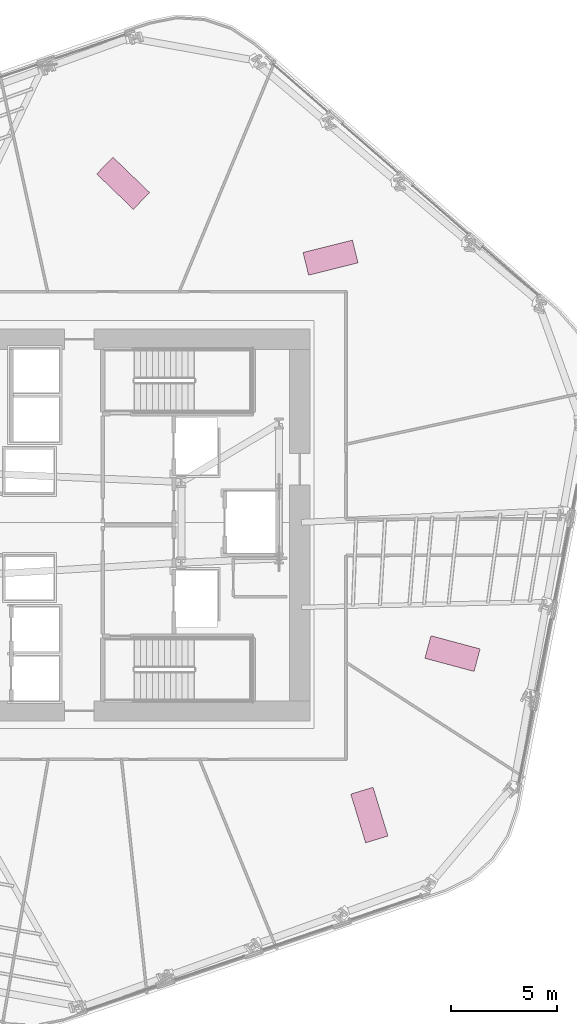
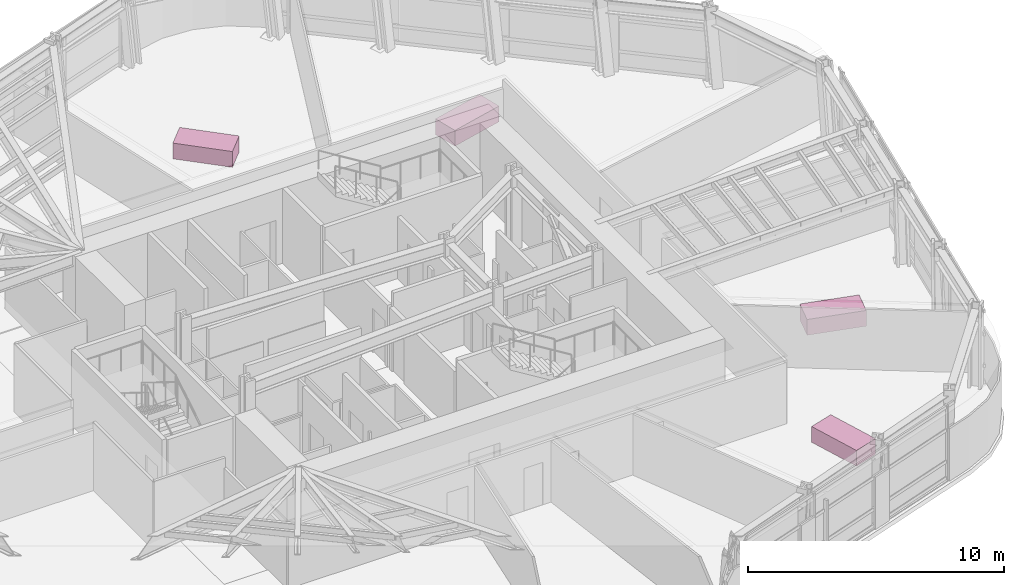
# One storey, part 16 of 16: 4 furniture elements.
"""IFC4 building model written with IfcOpenShell, lengths in metres."""

import ifcopenshell
import ifcopenshell.guid

model = None  # the IFC model being written
_history = None  # IfcOwnerHistory: only IFC2X3 demands one
_inside = {}  # id of a spatial element -> (the spatial element, [elements in it])
_under = {}  # id of a project, library or spatial element -> (it, [spatial elements below it])
_declared = {}  # id of a project -> (the project, [libraries it declares])
_typed = {}  # id of a type object -> (the type object, [elements of that type])
_made_of = {}  # id of a material, layer set ... -> (it, [elements and type objects made of it])


def new_model(schema):
    """Start an empty IFC model of exactly this schema.

    Asked for "IFC4X3", IfcOpenShell would pick the latest addendum, in which some entities
    have other attributes; the version numbers below select the first issue.
    IFC2X3 requires an IfcOwnerHistory on every rooted entity: one is made here for all.
    """
    global model, _history
    if schema == "IFC4X3":
        model = ifcopenshell.file(schema_version=(4, 3, 0, 0))
    else:
        model = ifcopenshell.file(schema=schema)
    _inside.clear()
    _under.clear()
    _declared.clear()
    _typed.clear()
    _made_of.clear()
    _history = None
    if model.schema == "IFC2X3":
        org = make("IfcOrganization", Name="unknown")
        user = make(
            "IfcPersonAndOrganization",
            ThePerson=make("IfcPerson", FamilyName="unknown"),
            TheOrganization=org,
        )
        app = make(
            "IfcApplication",
            ApplicationDeveloper=org,
            Version="unknown",
            ApplicationFullName="unknown",
            ApplicationIdentifier="unknown",
        )
        _history = make(
            "IfcOwnerHistory",
            OwningUser=user,
            OwningApplication=app,
            ChangeAction="ADDED",
            CreationDate=0,
        )
    return model


def make(cls, **values):
    """One entity of the class cls with the attributes given. An attribute that is None is left unset."""
    return model.create_entity(
        cls, **{name: value for name, value in values.items() if value is not None}
    )


def rooted(cls, **values):
    """An entity with a GlobalId (a new one), such as an element, a storey or a relation."""
    return make(cls, GlobalId=ifcopenshell.guid.new(), OwnerHistory=_history, **values)


def si_unit(unit_type, name, prefix=None):
    """IfcSIUnit, for example si_unit("LENGTHUNIT", "METRE", prefix="MILLI")."""
    return make("IfcSIUnit", UnitType=unit_type, Prefix=prefix, Name=name)


def assignment(units):
    """IfcUnitAssignment: the units of a project."""
    return None if units is None else make("IfcUnitAssignment", Units=units)


def point(xyz):
    """IfcCartesianPoint."""
    return None if xyz is None else make("IfcCartesianPoint", Coordinates=xyz)


def direction(xyz):
    """IfcDirection."""
    return None if xyz is None else make("IfcDirection", DirectionRatios=xyz)


def frame(location, z_axis=None, x_axis=None):
    """IfcAxis2Placement3D, a coordinate frame: its origin and axes. An axis left out is left unset."""
    return make(
        "IfcAxis2Placement3D",
        Location=point(location),
        Axis=direction(z_axis),
        RefDirection=direction(x_axis),
    )


def frame_2d(location, x_axis=None):
    """IfcAxis2Placement2D, a coordinate frame in the plane: its origin and x axis."""
    return make(
        "IfcAxis2Placement2D", Location=point(location), RefDirection=direction(x_axis)
    )


def origin():
    """The frame at (0, 0, 0) with its axes left unset."""
    return frame((0.0, 0.0, 0.0))


def origin_2d():
    """The frame at (0, 0) in the plane with its x axis left unset."""
    return frame_2d((0.0, 0.0))


def place(relative_to, where):
    """IfcLocalPlacement: puts the frame where relative to a parent placement (None: the world)."""
    return make(
        "IfcLocalPlacement", PlacementRelTo=relative_to, RelativePlacement=where
    )


def context(
    kind, dimensions, precision=None, world=None, true_north=None, identifier=None
):
    """IfcGeometricRepresentationContext, for example the 3D "Model" context."""
    return make(
        "IfcGeometricRepresentationContext",
        ContextIdentifier=identifier,
        ContextType=kind,
        CoordinateSpaceDimension=dimensions,
        Precision=precision,
        WorldCoordinateSystem=world,
        TrueNorth=true_north,
    )


def subcontext(parent, identifier, kind, view, scale=None):
    """IfcGeometricRepresentationSubContext, for example "Body" below "Model"."""
    return make(
        "IfcGeometricRepresentationSubContext",
        ContextIdentifier=identifier,
        ContextType=kind,
        ParentContext=parent,
        TargetScale=scale,
        TargetView=view,
    )


def project(units=None, contexts=None):
    """IfcProject with its units and contexts."""
    return rooted(
        "IfcProject",
        Name="project",
        RepresentationContexts=contexts,
        UnitsInContext=assignment(units),
    )


def spatial(cls, under=None, at=None, **own):
    """A site, building, storey or space (cls), placed at a placement, below another one or the project."""
    s = rooted(cls, ObjectPlacement=at, **own)
    if under is not None:
        _under.setdefault(under.id(), (under, []))[1].append(s)
    return s


def profile(cls, at=None, kind="AREA", **sizes):
    """A parametric profile (cls). Its sizes go by their IFC names, for example OverallWidth=200.0."""
    return make(cls, ProfileType=kind, Position=at, **sizes)


def rectangle(**sizes):
    """IfcRectangleProfileDef."""
    return profile("IfcRectangleProfileDef", **sizes)


def extrude(swept, where, along, depth):
    """IfcExtrudedAreaSolid: the profile swept, set in the frame where, extruded along a direction by depth."""
    return make(
        "IfcExtrudedAreaSolid",
        SweptArea=swept,
        Position=where,
        ExtrudedDirection=direction(along),
        Depth=depth,
    )


def shape(context_of_items, identifier, shape_type, items):
    """IfcShapeRepresentation: the items that make up one representation, for example the "Body"."""
    return make(
        "IfcShapeRepresentation",
        ContextOfItems=context_of_items,
        RepresentationIdentifier=identifier,
        RepresentationType=shape_type,
        Items=items,
    )


def material(Name=None, Category=None):
    """IfcMaterial."""
    return make("IfcMaterial", Name=Name, Category=Category)


def made_of(thing, what):
    """Note that an element or type object is made of a material, layer set ...; save() writes the relation."""
    if what is not None:
        _made_of.setdefault(what.id(), (what, []))[1].append(thing)
    return thing


def type_object(cls, material=None, **own):
    """A type object (cls), such as IfcWallType, which elements share."""
    return made_of(rooted(cls, **own), material)


def element(
    cls,
    number,
    at=None,
    inside=None,
    cuts=None,
    type_object=None,
    material=None,
    context=None,
    identifier="Body",
    shape_type=None,
    held_by="IfcProductDefinitionShape",
    body=None,
    shapes=None,
    **own,
):
    """One element of the class cls, such as IfcWall. Its Tag is "e" and its number.

    at: its placement. inside: the storey or other place that contains it. cuts: it is an
    opening in that element (IfcRelVoidsElement). A single representation is given by context,
    identifier, shape_type and body (its items); several are given by shapes. held_by: the class
    of the entity that holds the representations. save() writes the other relations.
    """
    e = rooted(cls, Tag="e%d" % number, ObjectPlacement=at, **own)
    if body is not None:
        shapes = [shape(context, identifier, shape_type, body)]
    if shapes is not None:
        e.Representation = make(held_by, Representations=shapes)
    if inside is not None:
        _inside.setdefault(inside.id(), (inside, []))[1].append(e)
    if cuts is not None:
        rooted(
            "IfcRelVoidsElement", RelatingBuildingElement=cuts, RelatedOpeningElement=e
        )
    if type_object is not None:
        _typed.setdefault(type_object.id(), (type_object, []))[1].append(e)
    return made_of(e, material)


def aggregate(whole, parts):
    """IfcRelAggregates: a whole, such as a stair, and the parts it consists of."""
    return rooted("IfcRelAggregates", RelatingObject=whole, RelatedObjects=parts)


def save(model, path):
    """Write the relations noted so far, then the file.

    IfcRelAggregates (storeys below a building ...), IfcRelContainedInSpatialStructure (elements
    in a storey), IfcRelDefinesByType, IfcRelAssociatesMaterial and IfcRelDeclares: one each for
    every whole, place, type object, material and project.
    """
    for whole, parts in _under.values():
        aggregate(whole, parts)
    for where, things in _inside.values():
        rooted(
            "IfcRelContainedInSpatialStructure",
            RelatedElements=things,
            RelatingStructure=where,
        )
    for kind, things in _typed.values():
        rooted("IfcRelDefinesByType", RelatedObjects=things, RelatingType=kind)
    for what, things in _made_of.values():
        rooted("IfcRelAssociatesMaterial", RelatedObjects=things, RelatingMaterial=what)
    for by, libraries in _declared.values():
        rooted("IfcRelDeclares", RelatingContext=by, RelatedDefinitions=libraries)
    model.write(path)


model = new_model("IFC4")

# Units and contexts
model_context = context("Model", 3, precision=1e-05, world=origin(), true_north=direction((0.0, 1.0)))
body_context = subcontext(model_context, "Body", "Model", "MODEL_VIEW")
ifc_project = project(units=[si_unit("LENGTHUNIT", "METRE"), si_unit("AREAUNIT", "SQUARE_METRE"), si_unit("VOLUMEUNIT", "CUBIC_METRE"), si_unit("PLANEANGLEUNIT", "RADIAN"), si_unit("MASSUNIT", "GRAM", prefix="KILO")], contexts=[model_context])

# Site, building, storey
site_placement = place(None, origin())
site = spatial("IfcSite", under=ifc_project, at=site_placement, CompositionType="ELEMENT")
building_placement = place(site_placement, origin())
building = spatial("IfcBuilding", under=site, at=building_placement, Name="Valkerne Bourse Tower", CompositionType="ELEMENT")
storey_placement = place(building_placement, frame((0.0, 0.0, 104.800048828125)))
storey = spatial("IfcBuildingStorey", under=building, at=storey_placement, Name="L26", CompositionType="ELEMENT", Elevation=104.800048828125)

# Furniture
ifc_material = material(Name="Architectural White Oak Timber", Category="wood")
furniture_type = type_object("IfcFurnitureType", Name="FURN-DESK-2400", AssemblyPlace="NOTDEFINED", PredefinedType="DESK", material=ifc_material)
for number, where, z_axis, x_axis, name in (
    (1, (59.201904296875, 13.219970703125, 0.044921875), (0.0, 0.0, 1.0), (-0.292371704723, 0.956304755963, 0.0), "L26 Suite Worktable 05"),
    (2, (47.610107421875, 42.965087890625, 0.044921875), (0.0, 0.0, 1.0), (-0.719339800339, 0.694658370459, 0.0), "L26 Suite Worktable 06"),
    (3, (63.115966796875, 20.822021484375, 0.044921875), (0.0, 0.0, 1.0), (-0.965925826289, 0.258819045103, 0.0), "L26 Suite Worktable 07"),
    (4, (57.373046875, 39.4599609375, 0.044921875), (0.0, 0.0, 1.0), (0.970295726276, 0.2419218956, 0.0), "L26 Suite Worktable 08"),
):
    element("IfcFurniture", number, at=place(storey_placement, frame(where, z_axis=z_axis, x_axis=x_axis)), inside=storey, type_object=furniture_type, Name=name, PredefinedType="DESK", context=body_context, shape_type="SweptSolid", body=[
        extrude(rectangle(XDim=2.39990234375, YDim=1.10009765625, at=origin_2d()), origin(), (0.0, 0.0, 1.0), 0.75),
    ])

save(model, "model.ifc")
